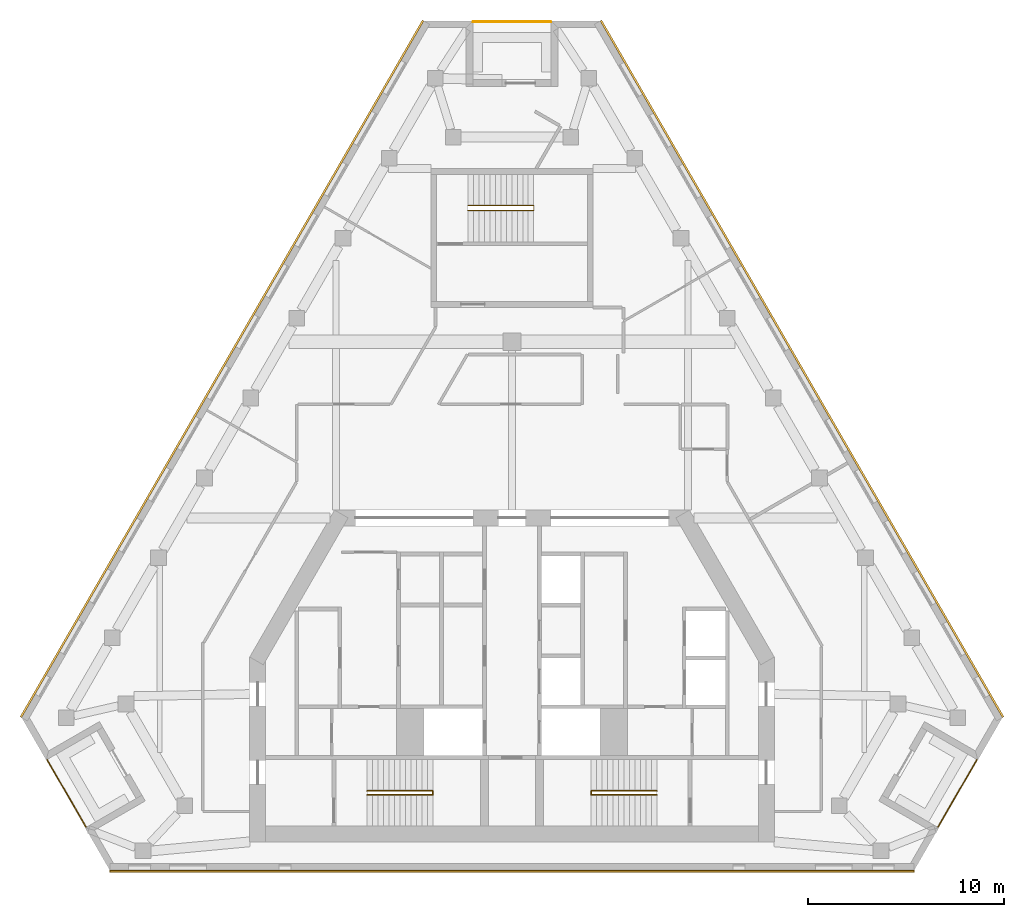
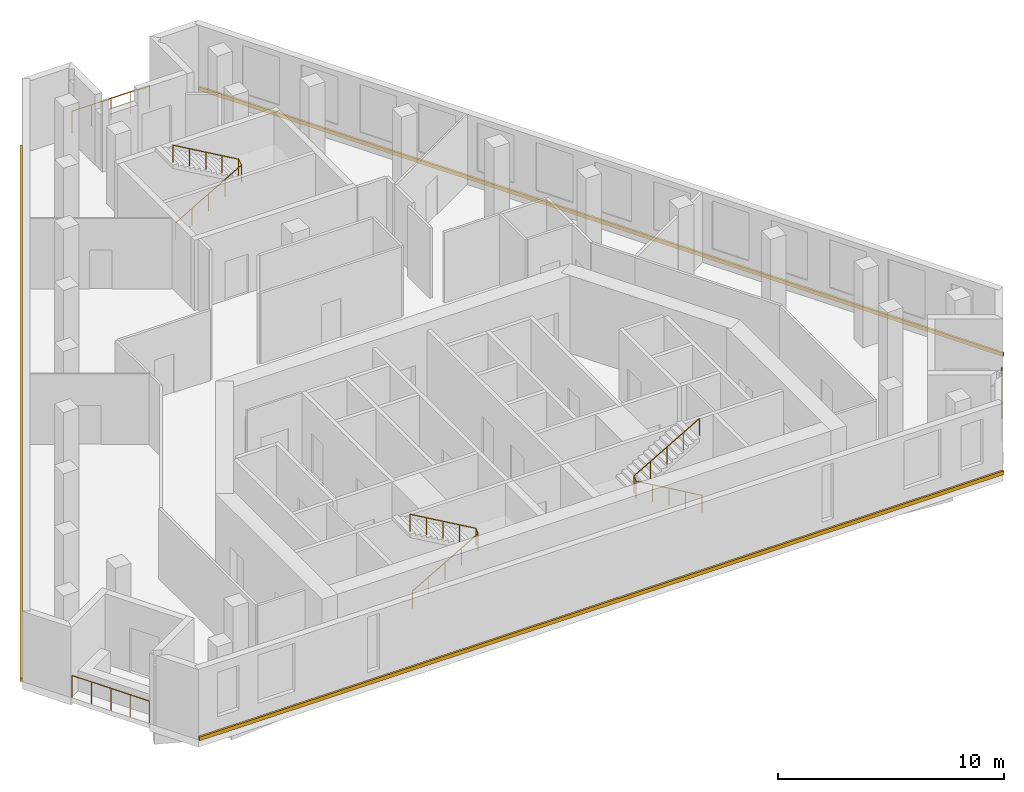
# One storey, part 8 of 8: 6 railings, 3 coverings.
"""IFC4 building model written with IfcOpenShell, lengths in metres."""

from ifc_helpers import new_model, si_unit, direction, frame, origin, origin_2d, place, context, subcontext, project, spatial, polyline, circle, outline, extrude, material, type_object, element, save


model = new_model("IFC4")

# Units and contexts
model_context = context("Model", 3, precision=1e-05, world=origin(), true_north=direction((0.0, 1.0)))
body_context = subcontext(model_context, "Body", "Model", "MODEL_VIEW")
ifc_project = project(units=[si_unit("LENGTHUNIT", "METRE"), si_unit("AREAUNIT", "SQUARE_METRE"), si_unit("VOLUMEUNIT", "CUBIC_METRE"), si_unit("PLANEANGLEUNIT", "RADIAN"), si_unit("MASSUNIT", "GRAM", prefix="KILO")], contexts=[model_context])

# Site, building, storey
site_placement = place(None, origin())
site = spatial("IfcSite", under=ifc_project, at=site_placement, CompositionType="ELEMENT")
building_placement = place(site_placement, origin())
building = spatial("IfcBuilding", under=site, at=building_placement, Name="Fogline Exchange Tower", CompositionType="ELEMENT")
storey_placement = place(building_placement, frame((0.0, 0.0, 291.89990234375)))
storey = spatial("IfcBuildingStorey", under=building, at=storey_placement, Name="L66", CompositionType="ELEMENT", Elevation=291.89990234375)

# Railings
ifc_material_1 = material(Name="Stainless steel 304", Category="steel")
railing_type_1 = type_object("IfcRailingType", Name="G1", PredefinedType="GUARDRAIL", material=ifc_material_1)
railing_1_placement = place(storey_placement, frame((-23.748291015625, 5.635986328125, 0.0)))
element("IfcRailing", 1, at=railing_1_placement, inside=storey, type_object=railing_type_1, Name="Balcony guard L66 SW", PredefinedType="GUARDRAIL", context=body_context, shape_type="SweptSolid", body=[
    extrude(circle(Radius=0.02392578125, at=origin_2d()), frame((0.0, 0.0, 1.17578125), z_axis=(0.500000102728, -0.866025344474, 0.0), x_axis=(0.866025344474, 0.500000102728, 0.0)), (0.0, 0.0, 1.0), 3.9580078125),
    extrude(circle(Radius=0.02099609375, at=origin_2d()), origin(), (0.0, 0.0, 1.0), 1.15185546875),
    extrude(circle(Radius=0.02099609375, at=origin_2d()), frame((0.49462890625, -0.85693359375, 0.0)), (0.0, 0.0, 1.0), 1.15185546875),
    extrude(circle(Radius=0.02099609375, at=origin_2d()), frame((0.989501953125, -1.7138671875, 0.0)), (0.0, 0.0, 1.0), 1.15185546875),
    extrude(circle(Radius=0.02099609375, at=origin_2d()), frame((1.484375, -2.57080078125, 0.0)), (0.0, 0.0, 1.0), 1.15185546875),
    extrude(circle(Radius=0.02099609375, at=origin_2d()), frame((1.97900390625, -3.427734375, 0.0)), (0.0, 0.0, 1.0), 1.15185546875),
])
railing_2_placement = place(storey_placement, frame((21.769287109375, 2.208251953125, 0.0)))
element("IfcRailing", 2, at=railing_2_placement, inside=storey, type_object=railing_type_1, Name="Balcony guard L66 SE", PredefinedType="GUARDRAIL", context=body_context, shape_type="SweptSolid", body=[
    extrude(circle(Radius=0.02392578125, at=origin_2d()), frame((0.0, 0.0, 1.17578125), z_axis=(0.500000102728, 0.866025344474, 0.0), x_axis=(-0.866025344474, 0.500000102728, 0.0)), (0.0, 0.0, 1.0), 3.9580078125),
    extrude(circle(Radius=0.02099609375, at=origin_2d()), origin(), (0.0, 0.0, 1.0), 1.15185546875),
    extrude(circle(Radius=0.02099609375, at=origin_2d()), frame((0.49462890625, 0.85693359375, 0.0)), (0.0, 0.0, 1.0), 1.15185546875),
    extrude(circle(Radius=0.02099609375, at=origin_2d()), frame((0.989501953125, 1.7138671875, 0.0)), (0.0, 0.0, 1.0), 1.15185546875),
    extrude(circle(Radius=0.02099609375, at=origin_2d()), frame((1.484375, 2.57080078125, 0.0)), (0.0, 0.0, 1.0), 1.15185546875),
    extrude(circle(Radius=0.02099609375, at=origin_2d()), frame((1.97900390625, 3.427734375, 0.0)), (0.0, 0.0, 1.0), 1.15185546875),
])
railing_3_placement = place(storey_placement, frame((1.97900390625, 43.341796875, 0.0)))
element("IfcRailing", 3, at=railing_3_placement, inside=storey, type_object=railing_type_1, Name="Balcony guard L66 N", PredefinedType="GUARDRAIL", context=body_context, shape_type="SweptSolid", body=[
    extrude(circle(Radius=0.02392578125, at=origin_2d()), frame((0.0, 0.0, 1.17578125), z_axis=(-1.0, 0.0, 0.0), x_axis=(0.0, -1.0, 0.0)), (0.0, 0.0, 1.0), 3.9580078125),
    extrude(circle(Radius=0.02099609375, at=origin_2d()), origin(), (0.0, 0.0, 1.0), 1.15185546875),
    extrude(circle(Radius=0.02099609375, at=origin_2d()), frame((-0.989501953125, 0.0, 0.0)), (0.0, 0.0, 1.0), 1.15185546875),
    extrude(circle(Radius=0.02099609375, at=origin_2d()), frame((-1.97900390625, 0.0, 0.0)), (0.0, 0.0, 1.0), 1.15185546875),
    extrude(circle(Radius=0.02099609375, at=origin_2d()), frame((-2.968505859375, 0.0, 0.0)), (0.0, 0.0, 1.0), 1.15185546875),
    extrude(circle(Radius=0.02099609375, at=origin_2d()), frame((-3.9580078125, 0.0, 0.0)), (0.0, 0.0, 1.0), 1.15185546875),
])
ifc_material_2 = material(Name="Steel Q235B", Category="steel")
railing_type_2 = type_object("IfcRailingType", Name="RL-HR", PredefinedType="HANDRAIL", material=ifc_material_2)
railing_4_placement = place(storey_placement, frame((-7.39990234375, 3.85009765625, 0.16162109375)))
element("IfcRailing", 4, at=railing_4_placement, inside=storey, type_object=railing_type_2, Name="Handrail ST1", PredefinedType="HANDRAIL", context=body_context, shape_type="SweptSolid", body=[
    extrude(circle(Radius=0.02392578125, at=origin_2d()), frame((0.0, 0.0, 0.92578125), z_axis=(0.866175107563, 0.0, 0.499740615757), x_axis=(0.0, 1.0, 0.0)), (0.0, 0.0, 1.0), 3.87890625),
    extrude(circle(Radius=0.02392578125, at=origin_2d()), frame((3.35986328125, 0.0, 2.8642578125), z_axis=(0.0, 0.777709044463, 0.628624404682), x_axis=(-1.0, 0.0, 0.0)), (0.0, 0.0, 1.0), 0.257080078125),
    extrude(circle(Radius=0.02392578125, at=origin_2d()), frame((3.35986328125, 0.199951171875, 3.02587890625), z_axis=(-0.866175107563, 0.0, 0.499740615757), x_axis=(0.0, -1.0, 0.0)), (0.0, 0.0, 1.0), 3.87890625),
    extrude(circle(Radius=0.02099609375, at=origin_2d()), origin(), (0.0, 0.0, 1.0), 0.90185546875),
    extrude(circle(Radius=0.02099609375, at=origin_2d()), frame((0.83984375, 0.0, 0.484619140625)), (0.0, 0.0, 1.0), 0.90185546875),
    extrude(circle(Radius=0.02099609375, at=origin_2d()), frame((1.679931640625, 0.0, 0.96923828125)), (0.0, 0.0, 1.0), 0.90185546875),
    extrude(circle(Radius=0.02099609375, at=origin_2d()), frame((2.52001953125, 0.0, 1.453857421875)), (0.0, 0.0, 1.0), 0.90185546875),
    extrude(circle(Radius=0.02099609375, at=origin_2d()), frame((3.35986328125, 0.0, 1.9384765625)), (0.0, 0.0, 1.0), 0.90185546875),
    extrude(circle(Radius=0.02099609375, at=origin_2d()), frame((3.35986328125, 0.199951171875, 2.10009765625)), (0.0, 0.0, 1.0), 0.90185546875),
    extrude(circle(Radius=0.02099609375, at=origin_2d()), frame((2.52001953125, 0.199951171875, 2.584716796875)), (0.0, 0.0, 1.0), 0.90185546875),
    extrude(circle(Radius=0.02099609375, at=origin_2d()), frame((1.679931640625, 0.199951171875, 3.0693359375)), (0.0, 0.0, 1.0), 0.90185546875),
    extrude(circle(Radius=0.02099609375, at=origin_2d()), frame((0.83984375, 0.199951171875, 3.553955078125)), (0.0, 0.0, 1.0), 0.90185546875),
    extrude(circle(Radius=0.02099609375, at=origin_2d()), frame((0.0, 0.199951171875, 4.03857421875)), (0.0, 0.0, 1.0), 0.90185546875),
])
railing_5_placement = place(storey_placement, frame((7.39990234375, 3.85009765625, 0.16162109375)))
element("IfcRailing", 5, at=railing_5_placement, inside=storey, type_object=railing_type_2, Name="Handrail ST2", PredefinedType="HANDRAIL", context=body_context, shape_type="SweptSolid", body=[
    extrude(circle(Radius=0.02392578125, at=origin_2d()), frame((0.0, 0.0, 0.92578125), z_axis=(-0.866175107563, 0.0, 0.499740615757), x_axis=(0.0, -1.0, 0.0)), (0.0, 0.0, 1.0), 3.87890625),
    extrude(circle(Radius=0.02392578125, at=origin_2d()), frame((-3.35986328125, 0.0, 2.8642578125), z_axis=(0.0, 0.777709044463, 0.628624404682), x_axis=(-1.0, 0.0, 0.0)), (0.0, 0.0, 1.0), 0.257080078125),
    extrude(circle(Radius=0.02392578125, at=origin_2d()), frame((-3.35986328125, 0.199951171875, 3.02587890625), z_axis=(0.866175107563, 0.0, 0.499740615757), x_axis=(0.0, 1.0, 0.0)), (0.0, 0.0, 1.0), 3.87890625),
    extrude(circle(Radius=0.02099609375, at=origin_2d()), origin(), (0.0, 0.0, 1.0), 0.90185546875),
    extrude(circle(Radius=0.02099609375, at=origin_2d()), frame((-0.83984375, 0.0, 0.484619140625)), (0.0, 0.0, 1.0), 0.90185546875),
    extrude(circle(Radius=0.02099609375, at=origin_2d()), frame((-1.679931640625, 0.0, 0.96923828125)), (0.0, 0.0, 1.0), 0.90185546875),
    extrude(circle(Radius=0.02099609375, at=origin_2d()), frame((-2.52001953125, 0.0, 1.453857421875)), (0.0, 0.0, 1.0), 0.90185546875),
    extrude(circle(Radius=0.02099609375, at=origin_2d()), frame((-3.35986328125, 0.0, 1.9384765625)), (0.0, 0.0, 1.0), 0.90185546875),
    extrude(circle(Radius=0.02099609375, at=origin_2d()), frame((-3.35986328125, 0.199951171875, 2.10009765625)), (0.0, 0.0, 1.0), 0.90185546875),
    extrude(circle(Radius=0.02099609375, at=origin_2d()), frame((-2.52001953125, 0.199951171875, 2.584716796875)), (0.0, 0.0, 1.0), 0.90185546875),
    extrude(circle(Radius=0.02099609375, at=origin_2d()), frame((-1.679931640625, 0.199951171875, 3.0693359375)), (0.0, 0.0, 1.0), 0.90185546875),
    extrude(circle(Radius=0.02099609375, at=origin_2d()), frame((-0.83984375, 0.199951171875, 3.553955078125)), (0.0, 0.0, 1.0), 0.90185546875),
    extrude(circle(Radius=0.02099609375, at=origin_2d()), frame((0.0, 0.199951171875, 4.03857421875)), (0.0, 0.0, 1.0), 0.90185546875),
])
railing_6_placement = place(storey_placement, frame((-2.25, 33.70703125, 0.16162109375)))
element("IfcRailing", 6, at=railing_6_placement, inside=storey, type_object=railing_type_2, Name="Handrail ST3", PredefinedType="HANDRAIL", context=body_context, shape_type="SweptSolid", body=[
    extrude(circle(Radius=0.02392578125, at=origin_2d()), frame((0.0, 0.0, 0.92578125), z_axis=(0.866190824863, 0.0, 0.499713372768), x_axis=(0.0, 1.0, 0.0)), (0.0, 0.0, 1.0), 3.879150390625),
    extrude(circle(Radius=0.02392578125, at=origin_2d()), frame((3.360107421875, 0.0, 2.8642578125), z_axis=(0.0, 0.839790117141, 0.542911189011), x_axis=(-1.0, 0.0, 0.0)), (0.0, 0.0, 1.0), 0.297607421875),
    extrude(circle(Radius=0.02392578125, at=origin_2d()), frame((3.360107421875, 0.25, 3.02587890625), z_axis=(-0.866190824863, 0.0, 0.499713372768), x_axis=(0.0, -1.0, 0.0)), (0.0, 0.0, 1.0), 3.879150390625),
    extrude(circle(Radius=0.02099609375, at=origin_2d()), origin(), (0.0, 0.0, 1.0), 0.90185546875),
    extrude(circle(Radius=0.02099609375, at=origin_2d()), frame((0.840087890625, 0.0, 0.484619140625)), (0.0, 0.0, 1.0), 0.90185546875),
    extrude(circle(Radius=0.02099609375, at=origin_2d()), frame((1.68017578125, 0.0, 0.96923828125)), (0.0, 0.0, 1.0), 0.90185546875),
    extrude(circle(Radius=0.02099609375, at=origin_2d()), frame((2.52001953125, 0.0, 1.453857421875)), (0.0, 0.0, 1.0), 0.90185546875),
    extrude(circle(Radius=0.02099609375, at=origin_2d()), frame((3.360107421875, 0.0, 1.9384765625)), (0.0, 0.0, 1.0), 0.90185546875),
    extrude(circle(Radius=0.02099609375, at=origin_2d()), frame((3.360107421875, 0.25, 2.10009765625)), (0.0, 0.0, 1.0), 0.90185546875),
    extrude(circle(Radius=0.02099609375, at=origin_2d()), frame((2.52001953125, 0.25, 2.584716796875)), (0.0, 0.0, 1.0), 0.90185546875),
    extrude(circle(Radius=0.02099609375, at=origin_2d()), frame((1.68017578125, 0.25, 3.0693359375)), (0.0, 0.0, 1.0), 0.90185546875),
    extrude(circle(Radius=0.02099609375, at=origin_2d()), frame((0.840087890625, 0.25, 3.553955078125)), (0.0, 0.0, 1.0), 0.90185546875),
    extrude(circle(Radius=0.02099609375, at=origin_2d()), frame((0.0, 0.25, 4.03857421875)), (0.0, 0.0, 1.0), 0.90185546875),
])

# Coverings
ifc_material_3 = material(Name="Brick masonry", Category="masonry")
covering_type = type_object("IfcCoveringType", Name="SB1", PredefinedType="CLADDING", material=ifc_material_3)
covering_1_placement = place(storey_placement, origin())
element("IfcCovering", 7, at=covering_1_placement, inside=storey, type_object=covering_type, Name="Stringcourse band L66 S", PredefinedType="CLADDING", context=body_context, shape_type="SweptSolid", body=[
    extrude(outline(polyline([(-20.55224609375, 0.0), (-20.55224609375, -0.10009765625), (20.55224609375, -0.10009765625), (20.55224609375, 0.0), (-20.55224609375, 0.0)])), origin(), (0.0, 0.0, 1.0), 0.2001953125),
])
covering_2_placement = place(storey_placement, origin())
element("IfcCovering", 8, at=covering_2_placement, inside=storey, type_object=covering_type, Name="Stringcourse band L66 E", PredefinedType="CLADDING", context=body_context, shape_type="SweptSolid", body=[
    extrude(outline(polyline([(25.05224609375, 7.794189453125), (25.138916015625, 7.84423828125), (4.586669921875, 43.441650390625), (4.5, 43.3916015625), (25.05224609375, 7.794189453125)])), origin(), (0.0, 0.0, 1.0), 0.2001953125),
])
covering_3_placement = place(storey_placement, origin())
element("IfcCovering", 9, at=covering_3_placement, inside=storey, type_object=covering_type, Name="Stringcourse band L66 W", PredefinedType="CLADDING", context=body_context, shape_type="SweptSolid", body=[
    extrude(outline(polyline([(-4.5, 43.3916015625), (-4.586669921875, 43.441650390625), (-25.138916015625, 7.84423828125), (-25.05224609375, 7.794189453125), (-4.5, 43.3916015625)])), origin(), (0.0, 0.0, 1.0), 0.2001953125),
])

save(model, "model.ifc")
